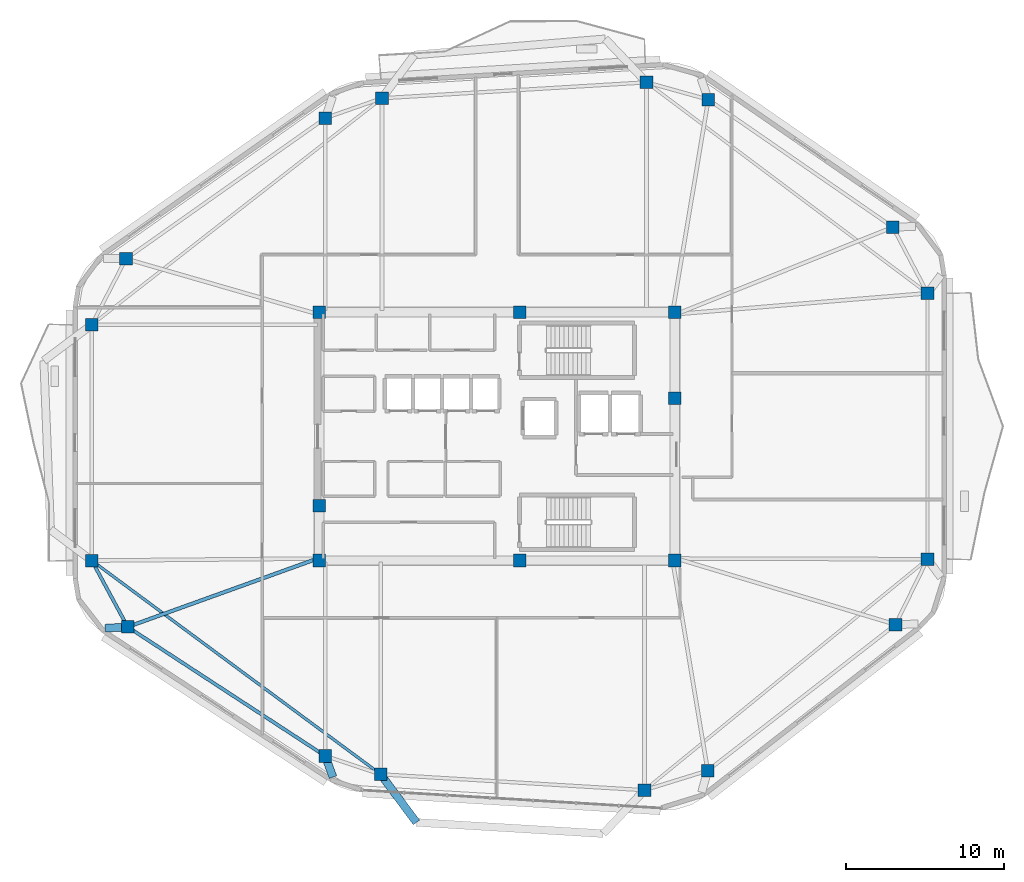
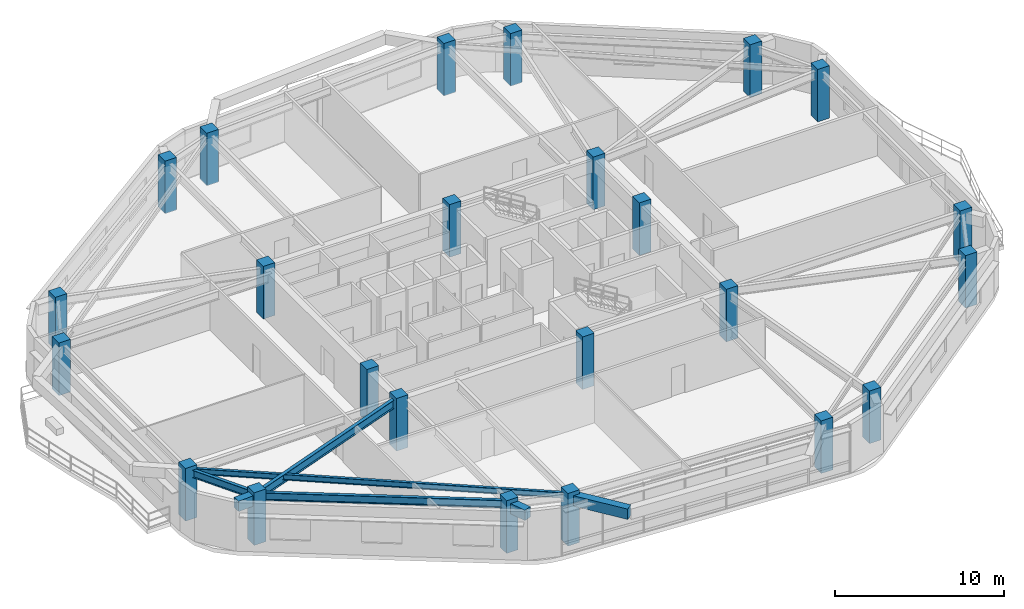
# One storey, part 1 of 12: 24 columns, 7 beams.
"""IFC4 building model written with IfcOpenShell, lengths in metres."""

from ifc_helpers import new_model, si_unit, direction, frame, origin, origin_2d, place, context, subcontext, project, spatial, rectangle, i_section, extrude, material, material_profile, profile_set, type_object, element, save


model = new_model("IFC4")

# Units and contexts
model_context = context("Model", 3, precision=1e-05, world=origin(), true_north=direction((0.0, 1.0)))
body_context = subcontext(model_context, "Body", "Model", "MODEL_VIEW")
ifc_project = project(units=[si_unit("LENGTHUNIT", "METRE"), si_unit("AREAUNIT", "SQUARE_METRE"), si_unit("VOLUMEUNIT", "CUBIC_METRE"), si_unit("PLANEANGLEUNIT", "RADIAN"), si_unit("MASSUNIT", "GRAM", prefix="KILO")], contexts=[model_context])

# Site, building, storey
site_placement = place(None, origin())
site = spatial("IfcSite", under=ifc_project, at=site_placement, CompositionType="ELEMENT")
building_placement = place(site_placement, origin())
building = spatial("IfcBuilding", under=site, at=building_placement, Name="Zulverin Broadcast Headquarters", CompositionType="ELEMENT")
storey_placement = place(building_placement, frame((0.0, 0.0, 232.60009765625)))
storey = spatial("IfcBuildingStorey", under=building, at=storey_placement, Name="L59", CompositionType="ELEMENT", Elevation=232.60009765625)

# Columns
ifc_material_1 = material(Name="Concrete C50/60", Category="concrete")
ifc_material_profile_1 = material_profile(ifc_material_1, rectangle(XDim=0.800048828125, YDim=0.800048828125, at=origin_2d()), Name="Concrete C50/60", Category="concrete")
ifc_profile_set_1 = profile_set([ifc_material_profile_1], Name="Concrete C50/60")
column_type_1 = type_object("IfcColumnType", Name="COL-RC-800", PredefinedType="COLUMN", material=ifc_profile_set_1)
for number, where, z_axis, x_axis, name in (
    (1, (29.6220703125, 3.763671875, 0.0), (0.0, 0.0, 1.0), (1.0, 0.0, 0.0), "L59 Perimeter Column T01"),
    (2, (46.3515625, 2.759521484375, 0.0), (0.0, 0.0, 1.0), (1.0, 0.0, 0.0), "L59 Perimeter Column T02"),
    (3, (50.361083984375, 4.001708984375, 0.0), (0.0, 0.0, 1.0), (1.0, 0.0, 0.0), "L59 Perimeter Column T03"),
    (4, (62.272216796875, 13.262451171875, 0.0), (0.0, 0.0, 1.0), (1.0, 0.0, 0.0), "L59 Perimeter Column T04"),
    (5, (64.300048828125, 17.40771484375, 0.0), (0.0, 0.0, 1.0), (1.0, 0.0, 0.0), "L59 Perimeter Column T05"),
    (6, (64.300048828125, 34.275634765625, 0.0), (0.0, 0.0, 1.0), (1.0, 0.0, 0.0), "L59 Perimeter Column T06"),
    (7, (62.102783203125, 38.465087890625, 0.0), (0.0, 0.0, 1.0), (1.0, 0.0, 0.0), "L59 Perimeter Column T07"),
    (8, (50.39794921875, 46.554443359375, 0.0), (0.0, 0.0, 1.0), (1.0, 0.0, 0.0), "L59 Perimeter Column T08"),
    (9, (46.4814453125, 47.6484375, 0.0), (0.0, 0.0, 1.0), (1.0, 0.0, 0.0), "L59 Perimeter Column T09"),
    (10, (29.70068359375, 46.64111328125, 0.0), (0.0, 0.0, 1.0), (1.0, 0.0, 0.0), "L59 Perimeter Column T10"),
    (11, (26.11474609375, 45.383544921875, 0.0), (0.0, 0.0, 1.0), (1.0, 0.0, 0.0), "L59 Perimeter Column T11"),
    (12, (13.46728515625, 36.457763671875, 0.0), (0.0, 0.0, 1.0), (1.0, 0.0, 0.0), "L59 Perimeter Column T12"),
    (13, (11.300048828125, 32.275390625, 0.0), (0.0, 0.0, 1.0), (1.0, 0.0, 0.0), "L59 Perimeter Column T13"),
    (14, (11.300048828125, 17.318603515625, 0.0), (0.0, 0.0, 1.0), (1.0, 0.0, 0.0), "L59 Perimeter Column T14"),
    (15, (13.576416015625, 13.11181640625, 0.0), (0.0, 0.0, 1.0), (1.0, 0.0, 0.0), "L59 Perimeter Column T15"),
    (16, (26.098876953125, 4.9287109375, 0.0), (0.0, 0.0, 1.0), (1.0, 0.0, 0.0), "L59 Perimeter Column T16"),
):
    element("IfcColumn", number, at=place(storey_placement, frame(where, z_axis=z_axis, x_axis=x_axis)), inside=storey, type_object=column_type_1, Name=name, PredefinedType="COLUMN", context=body_context, shape_type="SweptSolid", body=[
        extrude(rectangle(XDim=0.800048828125, YDim=0.800048828125, at=origin_2d()), origin(), (0.0, 0.0, 1.0), 3.7998046875),
    ])
ifc_material_profile_2 = material_profile(ifc_material_1, rectangle(XDim=0.800048828125, YDim=0.800048828125, at=origin_2d()), Name="Concrete C50/60", Category="concrete")
ifc_profile_set_2 = profile_set([ifc_material_profile_2], Name="Concrete C50/60")
column_type_2 = type_object("IfcColumnType", Name="PIL-RC-800", PredefinedType="PILASTER", material=ifc_profile_set_2)
for number, where, z_axis, x_axis, name in (
    (17, (25.72509765625, 17.324951171875, 0.0), (0.0, 0.0, 1.0), (1.0, 0.0, 0.0), "L59 Core Pilaster K01"),
    (18, (38.449951171875, 17.324951171875, 0.0), (0.0, 0.0, 1.0), (1.0, 0.0, 0.0), "L59 Core Pilaster K02"),
    (19, (48.27490234375, 17.324951171875, 0.0), (0.0, 0.0, 1.0), (1.0, 0.0, 0.0), "L59 Core Pilaster K03"),
    (20, (48.27490234375, 27.6201171875, 0.0), (0.0, 0.0, 1.0), (1.0, 0.0, 0.0), "L59 Core Pilaster K04"),
    (21, (48.27490234375, 33.074951171875, 0.0), (0.0, 0.0, 1.0), (1.0, 0.0, 0.0), "L59 Core Pilaster K05"),
    (22, (38.449951171875, 33.074951171875, 0.0), (0.0, 0.0, 1.0), (1.0, 0.0, 0.0), "L59 Core Pilaster K06"),
    (23, (25.72509765625, 33.074951171875, 0.0), (0.0, 0.0, 1.0), (1.0, 0.0, 0.0), "L59 Core Pilaster K07"),
    (24, (25.72509765625, 20.800048828125, 0.0), (0.0, 0.0, 1.0), (1.0, 0.0, 0.0), "L59 Core Pilaster K08"),
):
    element("IfcColumn", number, at=place(storey_placement, frame(where, z_axis=z_axis, x_axis=x_axis)), inside=storey, type_object=column_type_2, Name=name, PredefinedType="PILASTER", context=body_context, shape_type="SweptSolid", body=[
        extrude(rectangle(XDim=0.800048828125, YDim=0.800048828125, at=origin_2d()), origin(), (0.0, 0.0, 1.0), 3.7998046875),
    ])

# Beams
ifc_material_2 = material(Name="Concrete C40/50", Category="concrete")
ifc_material_profile_3 = material_profile(ifc_material_2, rectangle(XDim=0.5, YDim=0.75, at=origin_2d()), Name="Concrete C40/50", Category="concrete")
ifc_profile_set_3 = profile_set([ifc_material_profile_3], Name="Concrete C40/50")
beam_type_1 = type_object("IfcBeamType", Name="BM-RC-500x750", PredefinedType="BEAM", material=ifc_profile_set_3)
beam_1_placement = place(storey_placement, frame((13.576416015625, 13.11181640625, 3.135009765625), z_axis=(-0.998333895448, -0.057701240879, 0.0), x_axis=(0.057701240879, -0.998333895448, 0.0)))
element("IfcBeam", 25, at=beam_1_placement, inside=storey, type_object=beam_type_1, Name="L60 Plate Overhang Back-Spanned Beam OVR-15", PredefinedType="BEAM", context=body_context, shape_type="SweptSolid", body=[
    extrude(rectangle(XDim=0.5, YDim=0.75, at=origin_2d()), origin(), (0.0, 0.0, 1.0), 1.43017578125),
])
beam_2_placement = place(storey_placement, frame((26.098876953125, 4.9287109375, 3.135009765625), z_axis=(0.348109371259, -0.93745392721, 0.0), x_axis=(0.93745392721, 0.348109371259, 0.0)))
element("IfcBeam", 26, at=beam_2_placement, inside=storey, type_object=beam_type_1, Name="L60 Plate Overhang Back-Spanned Beam OVR-16", PredefinedType="BEAM", context=body_context, shape_type="SweptSolid", body=[
    extrude(rectangle(XDim=0.5, YDim=0.75, at=origin_2d()), origin(), (0.0, 0.0, 1.0), 1.429931640625),
])
beam_3_placement = place(storey_placement, frame((29.6220703125, 3.763671875, 3.135009765625), z_axis=(0.596497934534, -0.802614611191, 0.0), x_axis=(0.802614611191, 0.596497934534, 0.0)))
element("IfcBeam", 27, at=beam_3_placement, inside=storey, type_object=beam_type_1, Name="L60 Balcony Column-Framed Cantilever BAL_S-1", PredefinedType="BEAM", context=body_context, shape_type="SweptSolid", body=[
    extrude(rectangle(XDim=0.5, YDim=0.75, at=origin_2d()), origin(), (0.0, 0.0, 1.0), 3.798583984375),
])
ifc_material_3 = material(Name="Structural steel S355JR", Category="steel")
ifc_material_profile_4 = material_profile(ifc_material_3, i_section(OverallWidth=0.179443359375, OverallDepth=0.412841796875, WebThickness=0.009521484375, FlangeThickness=0.01611328125, at=origin_2d()), Name="Structural steel S355JR", Category="steel")
ifc_profile_set_4 = profile_set([ifc_material_profile_4], Name="Structural steel S355JR")
beam_type_2 = type_object("IfcBeamType", Name="BM-UB-406", PredefinedType="JOIST", material=ifc_profile_set_4)
beam_4_placement = place(storey_placement, frame((11.300048828125, 17.318603515625, 3.303466796875), z_axis=(0.803912476144, -0.594747619332, 0.0), x_axis=(0.594747619332, 0.803912476144, 0.0)))
element("IfcBeam", 28, at=beam_4_placement, inside=storey, type_object=beam_type_2, Name="L59 Chordal Floor Joist J-04", PredefinedType="JOIST", context=body_context, shape_type="SweptSolid", body=[
    extrude(i_section(OverallWidth=0.179443359375, OverallDepth=0.412841796875, WebThickness=0.009521484375, FlangeThickness=0.01611328125, at=origin_2d()), origin(), (0.0, 0.0, 1.0), 22.791015625),
])
ifc_material_profile_5 = material_profile(ifc_material_3, i_section(OverallWidth=0.2119140625, OverallDepth=0.54443359375, WebThickness=0.0126953125, FlangeThickness=0.021240234375, at=origin_2d()), Name="Structural steel S355JR", Category="steel")
ifc_profile_set_5 = profile_set([ifc_material_profile_5], Name="Structural steel S355JR")
beam_type_3 = type_object("IfcBeamType", Name="BM-UB-533", PredefinedType="SPANDREL", material=ifc_profile_set_5)
beam_5_placement = place(storey_placement, frame((11.300048828125, 17.318603515625, 3.237548828125), z_axis=(0.475909852672, -0.879494066, 0.0), x_axis=(0.879494066, 0.475909852672, 0.0)))
element("IfcBeam", 29, at=beam_5_placement, inside=storey, type_object=beam_type_3, Name="L59 Perimeter Spandrel Beam SP-14", PredefinedType="SPANDREL", context=body_context, shape_type="SweptSolid", body=[
    extrude(i_section(OverallWidth=0.2119140625, OverallDepth=0.54443359375, WebThickness=0.0126953125, FlangeThickness=0.021240234375, at=origin_2d()), origin(), (0.0, 0.0, 1.0), 4.783203125),
])
beam_6_placement = place(storey_placement, frame((13.576416015625, 13.11181640625, 3.237548828125), z_axis=(0.837112191398, -0.547031241349, 0.0), x_axis=(0.547031241349, 0.837112191398, 0.0)))
element("IfcBeam", 30, at=beam_6_placement, inside=storey, type_object=beam_type_3, Name="L59 Perimeter Spandrel Beam SP-15", PredefinedType="SPANDREL", context=body_context, shape_type="SweptSolid", body=[
    extrude(i_section(OverallWidth=0.2119140625, OverallDepth=0.54443359375, WebThickness=0.0126953125, FlangeThickness=0.021240234375, at=origin_2d()), origin(), (0.0, 0.0, 1.0), 14.959228515625),
])
ifc_material_profile_6 = material_profile(ifc_material_3, i_section(OverallWidth=0.230224609375, OverallDepth=0.6171875, WebThickness=0.01318359375, FlangeThickness=0.022216796875, at=origin_2d()), Name="Structural steel S355JR", Category="steel")
ifc_profile_set_6 = profile_set([ifc_material_profile_6], Name="Structural steel S355JR")
beam_type_4 = type_object("IfcBeamType", Name="BM-UB-610", PredefinedType="BEAM", material=ifc_profile_set_6)
beam_7_placement = place(storey_placement, frame((25.625, 17.449951171875, 3.201416015625), z_axis=(-0.940871370382, -0.338764024646, 0.0), x_axis=(0.338764024646, -0.940871370382, 0.0)))
element("IfcBeam", 31, at=beam_7_placement, inside=storey, type_object=beam_type_4, Name="L59 Radial Primary Floor Beam RB-15", PredefinedType="BEAM", context=body_context, shape_type="SweptSolid", body=[
    extrude(i_section(OverallWidth=0.230224609375, OverallDepth=0.6171875, WebThickness=0.01318359375, FlangeThickness=0.022216796875, at=origin_2d()), origin(), (0.0, 0.0, 1.0), 12.8056640625),
])

save(model, "model.ifc")
